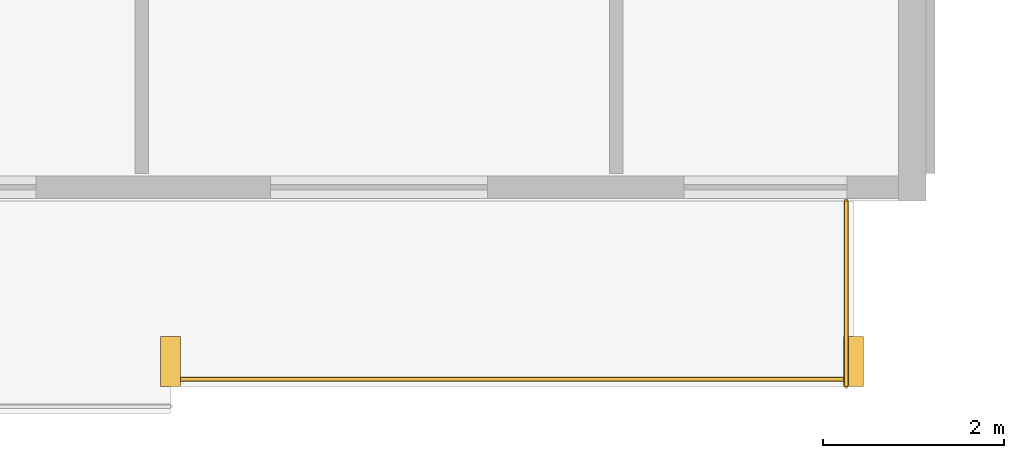
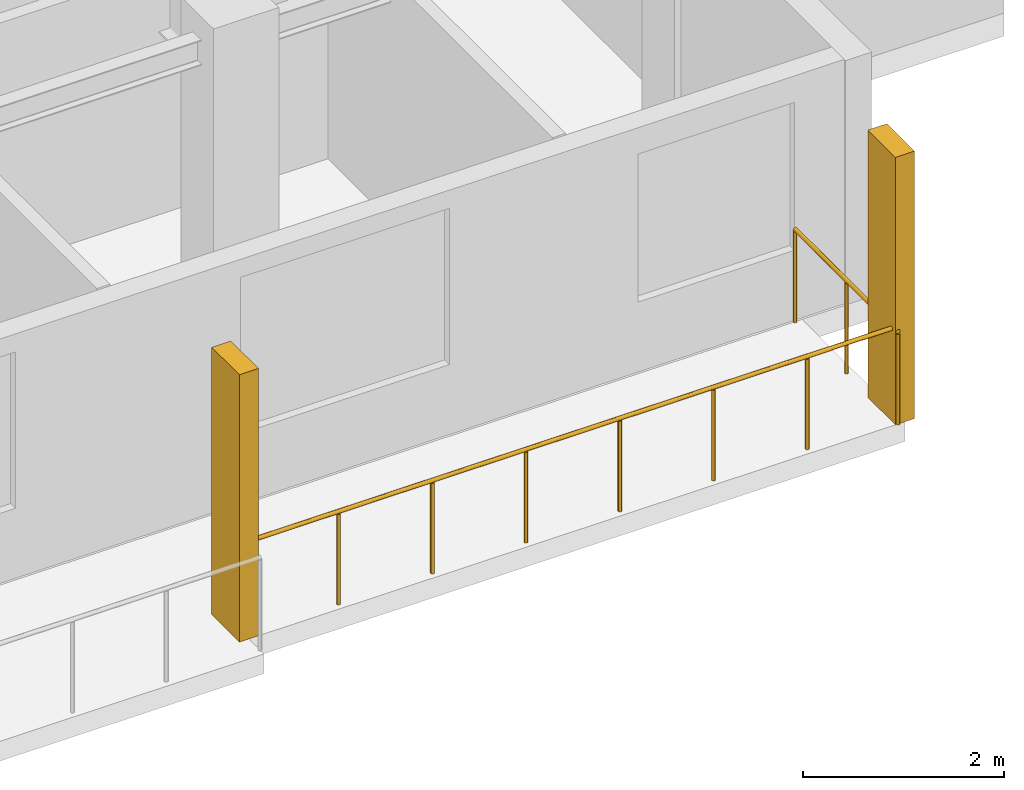
# One storey, part 20 of 22: 2 railings, 2 shading devices.
"""IFC4 building model written with IfcOpenShell, lengths in metres."""

from ifc_helpers import new_model, si_unit, direction, frame, origin, origin_2d, place, context, subcontext, project, spatial, rectangle, circle, extrude, material, type_object, element, save


model = new_model("IFC4")

# Units and contexts
model_context = context("Model", 3, precision=1e-05, world=origin(), true_north=direction((0.0, 1.0)))
body_context = subcontext(model_context, "Body", "Model", "MODEL_VIEW")
ifc_project = project(units=[si_unit("LENGTHUNIT", "METRE"), si_unit("AREAUNIT", "SQUARE_METRE"), si_unit("VOLUMEUNIT", "CUBIC_METRE"), si_unit("PLANEANGLEUNIT", "RADIAN"), si_unit("MASSUNIT", "GRAM", prefix="KILO")], contexts=[model_context])

# Site, building, storey
site_placement = place(None, origin())
site = spatial("IfcSite", under=ifc_project, at=site_placement, CompositionType="ELEMENT")
building_placement = place(site_placement, origin())
building = spatial("IfcBuilding", under=site, at=building_placement, Name="Korimba Cascade Residences", CompositionType="ELEMENT")
storey_placement = place(building_placement, frame((0.0, 0.0, 191.35009765625)))
storey = spatial("IfcBuildingStorey", under=building, at=storey_placement, Name="L55", CompositionType="ELEMENT", Elevation=191.35009765625)

# Railings
ifc_material_1 = material(Name="Laminated Glass and Bronze Balustrade", Category="glass")
railing_type = type_object("IfcRailingType", Name="RLG-LOG-1150", PredefinedType="BALUSTRADE", material=ifc_material_1)
railing_1_placement = place(storey_placement, frame((120.55712890625, -9.77001953125, 0.0)))
element("IfcRailing", 1, at=railing_1_placement, inside=storey, type_object=railing_type, Name="L55 Perimeter Guardrail RLG-L55-T2-LOG-06", PredefinedType="BALUSTRADE", context=body_context, shape_type="SweptSolid", body=[
    extrude(circle(Radius=0.02392578125, at=origin_2d()), frame((0.0, 0.0, 1.1259765625), z_axis=(1.0, 0.0, 0.0), x_axis=(0.0, 1.0, 0.0)), (0.0, 0.0, 1.0), 7.54296875),
    extrude(circle(Radius=0.02099609375, at=origin_2d()), origin(), (0.0, 0.0, 1.0), 1.101806640625),
    extrude(circle(Radius=0.02099609375, at=origin_2d()), frame((1.07763671875, 0.0, 0.0)), (0.0, 0.0, 1.0), 1.101806640625),
    extrude(circle(Radius=0.02099609375, at=origin_2d()), frame((2.155029296875, 0.0, 0.0)), (0.0, 0.0, 1.0), 1.101806640625),
    extrude(circle(Radius=0.02099609375, at=origin_2d()), frame((3.232666015625, 0.0, 0.0)), (0.0, 0.0, 1.0), 1.101806640625),
    extrude(circle(Radius=0.02099609375, at=origin_2d()), frame((4.310302734375, 0.0, 0.0)), (0.0, 0.0, 1.0), 1.101806640625),
    extrude(circle(Radius=0.02099609375, at=origin_2d()), frame((5.387939453125, 0.0, 0.0)), (0.0, 0.0, 1.0), 1.101806640625),
    extrude(circle(Radius=0.02099609375, at=origin_2d()), frame((6.46533203125, 0.0, 0.0)), (0.0, 0.0, 1.0), 1.101806640625),
    extrude(circle(Radius=0.02099609375, at=origin_2d()), frame((7.54296875, 0.0, 0.0)), (0.0, 0.0, 1.0), 1.101806640625),
])
railing_2_placement = place(storey_placement, frame((128.02001953125, -9.85009765625, 0.0)))
element("IfcRailing", 2, at=railing_2_placement, inside=storey, type_object=railing_type, Name="L55 Perimeter Guardrail RLG-L55-T2-LOG-07", PredefinedType="BALUSTRADE", context=body_context, shape_type="SweptSolid", body=[
    extrude(circle(Radius=0.02392578125, at=origin_2d()), frame((0.0, 0.0, 1.1259765625), z_axis=(0.0, 1.0, 0.0), x_axis=(-1.0, 0.0, 0.0)), (0.0, 0.0, 1.0), 2.050048828125),
    extrude(circle(Radius=0.02099609375, at=origin_2d()), origin(), (0.0, 0.0, 1.0), 1.101806640625),
    extrude(circle(Radius=0.02099609375, at=origin_2d()), frame((0.0, 1.02490234375, 0.0)), (0.0, 0.0, 1.0), 1.101806640625),
    extrude(circle(Radius=0.02099609375, at=origin_2d()), frame((0.0, 2.050048828125, 0.0)), (0.0, 0.0, 1.0), 1.101806640625),
])

# Shading devices
ifc_material_2 = material(Name="Honed Sandstone Precast Fin", Category="masonry")
shading_device_type = type_object("IfcShadingDeviceType", Name="SHD-FIN-550", PredefinedType="USERDEFINED", material=ifc_material_2)
for number, where, z_axis, x_axis, name in (
    (3, (120.55712890625, -9.574951171875, 0.0), (0.0, 0.0, 1.0), (1.0, 0.0, 0.0), "L55 T2 Warm-Stone Loggia Fin 7"),
    (4, (128.10009765625, -9.574951171875, 0.0), (0.0, 0.0, 1.0), (1.0, 0.0, 0.0), "L55 T2 Warm-Stone Loggia Fin 8"),
):
    element("IfcShadingDevice", number, at=place(storey_placement, frame(where, z_axis=z_axis, x_axis=x_axis)), inside=storey, type_object=shading_device_type, Name=name, ObjectType="FIN", PredefinedType="USERDEFINED", context=body_context, shape_type="SweptSolid", body=[
        extrude(rectangle(XDim=0.219970703125, YDim=0.550048828125, at=origin_2d()), origin(), (0.0, 0.0, 1.0), 3.25),
    ])

save(model, "model.ifc")
